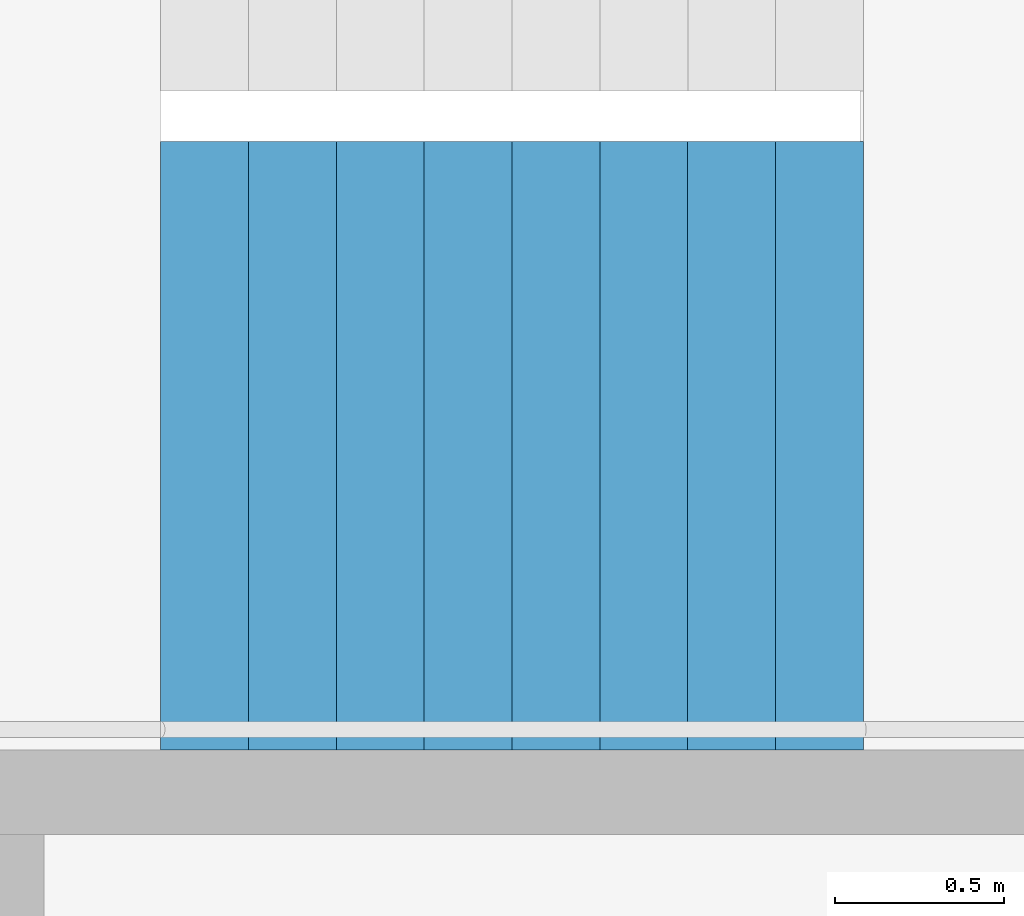
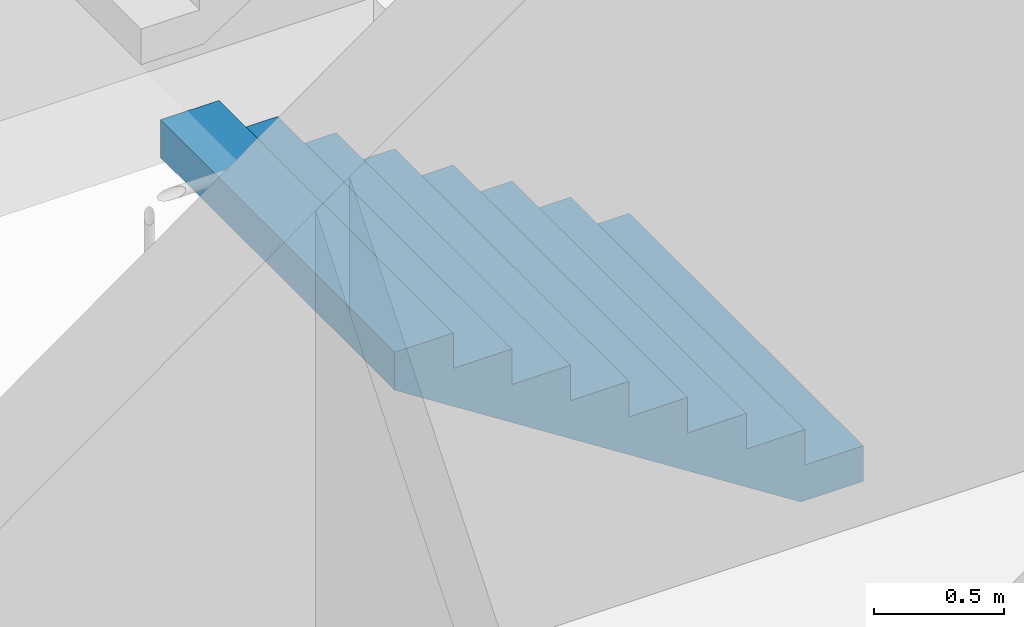
# One storey, part 30 of 35: 1 stair flight, 1 element without a shape of its own.
"""IFC4 building model written with IfcOpenShell, lengths in metres."""

from ifc_helpers import new_model, si_unit, direction, frame, origin, place, context, subcontext, project, spatial, triangles, material, type_object, element, aggregate, save


model = new_model("IFC4")

# Units and contexts
model_context = context("Model", 3, precision=1e-05, world=origin(), true_north=direction((0.0, 1.0)))
body_context = subcontext(model_context, "Body", "Model", "MODEL_VIEW")
ifc_project = project(units=[si_unit("LENGTHUNIT", "METRE"), si_unit("AREAUNIT", "SQUARE_METRE"), si_unit("VOLUMEUNIT", "CUBIC_METRE"), si_unit("PLANEANGLEUNIT", "RADIAN"), si_unit("MASSUNIT", "GRAM", prefix="KILO")], contexts=[model_context])

# Site, building, storey
site_placement = place(None, origin())
site = spatial("IfcSite", under=ifc_project, at=site_placement, CompositionType="ELEMENT")
building_placement = place(site_placement, origin())
building = spatial("IfcBuilding", under=site, at=building_placement, Name="Hakoniwa Tower and Hamabe Station Hall", CompositionType="ELEMENT")
storey_placement = place(building_placement, frame((0.0, 0.0, 270.60009765625)))
storey = spatial("IfcBuildingStorey", under=building, at=storey_placement, Name="L76", CompositionType="ELEMENT", Elevation=270.60009765625)

# Stair, stair flight
ifc_material_1 = material(Name="Concrete C40", Category="concrete")
stair_type = type_object("IfcStairType", Name="ESCAPE STAIR 1800", PredefinedType="HALF_TURN_STAIR", material=ifc_material_1)
stair_placement = place(storey_placement, origin())
stair = element("IfcStair", 1, at=stair_placement, inside=storey, type_object=stair_type, Name="Escape stair ST-3 L76", PredefinedType="HALF_TURN_STAIR")
ifc_material_2 = material(Name="Concrete C40", Category="concrete")
stair_flight_type = type_object("IfcStairFlightType", Name="STAIR FLIGHT 1800", PredefinedType="STRAIGHT", material=ifc_material_2)
stair_flight_placement = place(storey_placement, frame((24.39990234375, 4.64990234375, 0.0), z_axis=(0.0, 0.0, 1.0), x_axis=(-1.0, 0.0, 0.0)))
stair_flight = element("IfcStairFlight", 2, at=stair_flight_placement, type_object=stair_flight_type, Name="ST-3 flight 1", NumberOfRisers=9, NumberOfTreads=8, PredefinedType="STRAIGHT", RiserHeight=0.166666667, TreadLength=0.26, context=body_context, shape_type="Tessellation", body=[
    triangles([(0.0, 0.89990234375, 0.0), (0.260009765625, 0.89990234375, 0.0), (0.27783203125, 0.89990234375, 0.0), (0.52001953125, 0.89990234375, 0.1552734375), (0.780029296875, 0.89990234375, 0.322021484375), (1.0400390625, 0.89990234375, 0.488525390625), (1.300048828125, 0.89990234375, 0.6552734375), (1.56005859375, 0.89990234375, 0.822021484375), (1.820068359375, 0.89990234375, 0.988525390625), (2.080078125, 0.89990234375, 1.1552734375), (2.080078125, 0.89990234375, 1.333251953125), (1.820068359375, 0.89990234375, 1.333251953125), (1.820068359375, 0.89990234375, 1.166748046875), (1.56005859375, 0.89990234375, 1.166748046875), (1.56005859375, 0.89990234375, 1.0), (1.300048828125, 0.89990234375, 1.0), (1.300048828125, 0.89990234375, 0.833251953125), (1.0400390625, 0.89990234375, 0.833251953125), (1.0400390625, 0.89990234375, 0.666748046875), (0.780029296875, 0.89990234375, 0.666748046875), (0.780029296875, 0.89990234375, 0.5), (0.52001953125, 0.89990234375, 0.5), (0.52001953125, 0.89990234375, 0.333251953125), (0.27783203125, 0.89990234375, 0.333251953125), (0.260009765625, 0.89990234375, 0.333251953125), (0.260009765625, 0.89990234375, 0.166748046875), (0.0, 0.89990234375, 0.166748046875), (0.0, 0.06005859375, 0.0), (0.260009765625, 0.06005859375, 0.0), (0.27783203125, 0.06005859375, 0.0), (0.52001953125, 0.06005859375, 0.1552734375), (0.780029296875, 0.06005859375, 0.322021484375), (1.0400390625, 0.06005859375, 0.488525390625), (1.300048828125, 0.06005859375, 0.6552734375), (1.56005859375, 0.06005859375, 0.822021484375), (1.820068359375, 0.06005859375, 0.988525390625), (2.080078125, 0.06005859375, 1.1552734375), (2.080078125, 0.06005859375, 1.333251953125), (1.820068359375, 0.06005859375, 1.333251953125), (1.820068359375, 0.06005859375, 1.166748046875), (1.56005859375, 0.06005859375, 1.166748046875), (1.56005859375, 0.06005859375, 1.0), (1.300048828125, 0.06005859375, 1.0), (1.300048828125, 0.06005859375, 0.833251953125), (1.0400390625, 0.06005859375, 0.833251953125), (1.0400390625, 0.06005859375, 0.666748046875), (0.780029296875, 0.06005859375, 0.666748046875), (0.780029296875, 0.06005859375, 0.5), (0.52001953125, 0.06005859375, 0.5), (0.52001953125, 0.06005859375, 0.333251953125), (0.27783203125, 0.06005859375, 0.333251953125), (0.260009765625, 0.06005859375, 0.333251953125), (0.260009765625, 0.06005859375, 0.166748046875), (0.0, 0.06005859375, 0.166748046875), (0.0, 0.04296875, 0.0), (0.260009765625, 0.04296875, 0.0), (0.27783203125, 0.04296875, 0.0), (0.52001953125, 0.04296875, 0.1552734375), (0.780029296875, 0.04296875, 0.322021484375), (1.0400390625, 0.04296875, 0.488525390625), (1.300048828125, 0.04296875, 0.6552734375), (1.56005859375, 0.04296875, 0.822021484375), (1.820068359375, 0.04296875, 0.988525390625), (2.080078125, 0.04296875, 1.1552734375), (2.080078125, 0.04296875, 1.333251953125), (1.820068359375, 0.04296875, 1.333251953125), (1.820068359375, 0.04296875, 1.166748046875), (1.56005859375, 0.04296875, 1.166748046875), (1.56005859375, 0.04296875, 1.0), (1.300048828125, 0.04296875, 1.0), (1.300048828125, 0.04296875, 0.833251953125), (1.0400390625, 0.04296875, 0.833251953125), (1.0400390625, 0.04296875, 0.666748046875), (0.780029296875, 0.04296875, 0.666748046875), (0.780029296875, 0.04296875, 0.5), (0.52001953125, 0.04296875, 0.5), (0.52001953125, 0.04296875, 0.333251953125), (0.27783203125, 0.04296875, 0.333251953125), (0.260009765625, 0.04296875, 0.333251953125), (0.260009765625, 0.04296875, 0.166748046875), (0.0, 0.04296875, 0.166748046875), (0.0, 0.025634765625, 0.0), (0.260009765625, 0.025634765625, 0.0), (0.27783203125, 0.025634765625, 0.0), (0.52001953125, 0.025634765625, 0.1552734375), (0.780029296875, 0.025634765625, 0.322021484375), (1.0400390625, 0.025634765625, 0.488525390625), (1.300048828125, 0.025634765625, 0.6552734375), (1.56005859375, 0.025634765625, 0.822021484375), (1.820068359375, 0.025634765625, 0.988525390625), (2.080078125, 0.025634765625, 1.1552734375), (2.080078125, 0.025634765625, 1.333251953125), (1.820068359375, 0.025634765625, 1.333251953125), (1.820068359375, 0.025634765625, 1.166748046875), (1.56005859375, 0.025634765625, 1.166748046875), (1.56005859375, 0.025634765625, 1.0), (1.300048828125, 0.025634765625, 1.0), (1.300048828125, 0.025634765625, 0.833251953125), (1.0400390625, 0.025634765625, 0.833251953125), (1.0400390625, 0.025634765625, 0.666748046875), (0.780029296875, 0.025634765625, 0.666748046875), (0.780029296875, 0.025634765625, 0.5), (0.52001953125, 0.025634765625, 0.5), (0.52001953125, 0.025634765625, 0.333251953125), (0.27783203125, 0.025634765625, 0.333251953125), (0.260009765625, 0.025634765625, 0.333251953125), (0.260009765625, 0.025634765625, 0.166748046875), (0.0, 0.025634765625, 0.166748046875), (0.0, 0.008544921875, 0.0), (0.260009765625, 0.008544921875, 0.0), (0.27783203125, 0.008544921875, 0.0), (0.52001953125, 0.008544921875, 0.1552734375), (0.780029296875, 0.008544921875, 0.322021484375), (1.0400390625, 0.008544921875, 0.488525390625), (1.300048828125, 0.008544921875, 0.6552734375), (1.56005859375, 0.008544921875, 0.822021484375), (1.820068359375, 0.008544921875, 0.988525390625), (2.080078125, 0.008544921875, 1.1552734375), (2.080078125, 0.008544921875, 1.333251953125), (1.820068359375, 0.008544921875, 1.333251953125), (1.820068359375, 0.008544921875, 1.166748046875), (1.56005859375, 0.008544921875, 1.166748046875), (1.56005859375, 0.008544921875, 1.0), (1.300048828125, 0.008544921875, 1.0), (1.300048828125, 0.008544921875, 0.833251953125), (1.0400390625, 0.008544921875, 0.833251953125), (1.0400390625, 0.008544921875, 0.666748046875), (0.780029296875, 0.008544921875, 0.666748046875), (0.780029296875, 0.008544921875, 0.5), (0.52001953125, 0.008544921875, 0.5), (0.52001953125, 0.008544921875, 0.333251953125), (0.27783203125, 0.008544921875, 0.333251953125), (0.260009765625, 0.008544921875, 0.333251953125), (0.260009765625, 0.008544921875, 0.166748046875), (0.0, 0.008544921875, 0.166748046875), (0.0, -0.008544921875, 0.0), (0.260009765625, -0.008544921875, 0.0), (0.27783203125, -0.008544921875, 0.0), (0.52001953125, -0.008544921875, 0.1552734375), (0.780029296875, -0.008544921875, 0.322021484375), (1.0400390625, -0.008544921875, 0.488525390625), (1.300048828125, -0.008544921875, 0.6552734375), (1.56005859375, -0.008544921875, 0.822021484375), (1.820068359375, -0.008544921875, 0.988525390625), (2.080078125, -0.008544921875, 1.1552734375), (2.080078125, -0.008544921875, 1.333251953125), (1.820068359375, -0.008544921875, 1.333251953125), (1.820068359375, -0.008544921875, 1.166748046875), (1.56005859375, -0.008544921875, 1.166748046875), (1.56005859375, -0.008544921875, 1.0), (1.300048828125, -0.008544921875, 1.0), (1.300048828125, -0.008544921875, 0.833251953125), (1.0400390625, -0.008544921875, 0.833251953125), (1.0400390625, -0.008544921875, 0.666748046875), (0.780029296875, -0.008544921875, 0.666748046875), (0.780029296875, -0.008544921875, 0.5), (0.52001953125, -0.008544921875, 0.5), (0.52001953125, -0.008544921875, 0.333251953125), (0.27783203125, -0.008544921875, 0.333251953125), (0.260009765625, -0.008544921875, 0.333251953125), (0.260009765625, -0.008544921875, 0.166748046875), (0.0, -0.008544921875, 0.166748046875), (0.0, -0.025634765625, 0.0), (0.260009765625, -0.025634765625, 0.0), (0.27783203125, -0.025634765625, 0.0), (0.52001953125, -0.025634765625, 0.1552734375), (0.780029296875, -0.025634765625, 0.322021484375), (1.0400390625, -0.025634765625, 0.488525390625), (1.300048828125, -0.025634765625, 0.6552734375), (1.56005859375, -0.025634765625, 0.822021484375), (1.820068359375, -0.025634765625, 0.988525390625), (2.080078125, -0.025634765625, 1.1552734375), (2.080078125, -0.025634765625, 1.333251953125), (1.820068359375, -0.025634765625, 1.333251953125), (1.820068359375, -0.025634765625, 1.166748046875), (1.56005859375, -0.025634765625, 1.166748046875), (1.56005859375, -0.025634765625, 1.0), (1.300048828125, -0.025634765625, 1.0), (1.300048828125, -0.025634765625, 0.833251953125), (1.0400390625, -0.025634765625, 0.833251953125), (1.0400390625, -0.025634765625, 0.666748046875), (0.780029296875, -0.025634765625, 0.666748046875), (0.780029296875, -0.025634765625, 0.5), (0.52001953125, -0.025634765625, 0.5), (0.52001953125, -0.025634765625, 0.333251953125), (0.27783203125, -0.025634765625, 0.333251953125), (0.260009765625, -0.025634765625, 0.333251953125), (0.260009765625, -0.025634765625, 0.166748046875), (0.0, -0.025634765625, 0.166748046875), (0.0, -0.04296875, 0.0), (0.260009765625, -0.04296875, 0.0), (0.27783203125, -0.04296875, 0.0), (0.52001953125, -0.04296875, 0.1552734375), (0.780029296875, -0.04296875, 0.322021484375), (1.0400390625, -0.04296875, 0.488525390625), (1.300048828125, -0.04296875, 0.6552734375), (1.56005859375, -0.04296875, 0.822021484375), (1.820068359375, -0.04296875, 0.988525390625), (2.080078125, -0.04296875, 1.1552734375), (2.080078125, -0.04296875, 1.333251953125), (1.820068359375, -0.04296875, 1.333251953125), (1.820068359375, -0.04296875, 1.166748046875), (1.56005859375, -0.04296875, 1.166748046875), (1.56005859375, -0.04296875, 1.0), (1.300048828125, -0.04296875, 1.0), (1.300048828125, -0.04296875, 0.833251953125), (1.0400390625, -0.04296875, 0.833251953125), (1.0400390625, -0.04296875, 0.666748046875), (0.780029296875, -0.04296875, 0.666748046875), (0.780029296875, -0.04296875, 0.5), (0.52001953125, -0.04296875, 0.5), (0.52001953125, -0.04296875, 0.333251953125), (0.27783203125, -0.04296875, 0.333251953125), (0.260009765625, -0.04296875, 0.333251953125), (0.260009765625, -0.04296875, 0.166748046875), (0.0, -0.04296875, 0.166748046875), (0.0, -0.06005859375, 0.0), (0.260009765625, -0.06005859375, 0.0), (0.27783203125, -0.06005859375, 0.0), (0.52001953125, -0.06005859375, 0.1552734375), (0.780029296875, -0.06005859375, 0.322021484375), (1.0400390625, -0.06005859375, 0.488525390625), (1.300048828125, -0.06005859375, 0.6552734375), (1.56005859375, -0.06005859375, 0.822021484375), (1.820068359375, -0.06005859375, 0.988525390625), (2.080078125, -0.06005859375, 1.1552734375), (2.080078125, -0.06005859375, 1.333251953125), (1.820068359375, -0.06005859375, 1.333251953125), (1.820068359375, -0.06005859375, 1.166748046875), (1.56005859375, -0.06005859375, 1.166748046875), (1.56005859375, -0.06005859375, 1.0), (1.300048828125, -0.06005859375, 1.0), (1.300048828125, -0.06005859375, 0.833251953125), (1.0400390625, -0.06005859375, 0.833251953125), (1.0400390625, -0.06005859375, 0.666748046875), (0.780029296875, -0.06005859375, 0.666748046875), (0.780029296875, -0.06005859375, 0.5), (0.52001953125, -0.06005859375, 0.5), (0.52001953125, -0.06005859375, 0.333251953125), (0.27783203125, -0.06005859375, 0.333251953125), (0.260009765625, -0.06005859375, 0.333251953125), (0.260009765625, -0.06005859375, 0.166748046875), (0.0, -0.06005859375, 0.166748046875), (0.0, -0.89990234375, 0.0), (0.260009765625, -0.89990234375, 0.0), (0.27783203125, -0.89990234375, 0.0), (0.52001953125, -0.89990234375, 0.1552734375), (0.780029296875, -0.89990234375, 0.322021484375), (1.0400390625, -0.89990234375, 0.488525390625), (1.300048828125, -0.89990234375, 0.6552734375), (1.56005859375, -0.89990234375, 0.822021484375), (1.820068359375, -0.89990234375, 0.988525390625), (2.080078125, -0.89990234375, 1.1552734375), (2.080078125, -0.89990234375, 1.333251953125), (1.820068359375, -0.89990234375, 1.333251953125), (1.820068359375, -0.89990234375, 1.166748046875), (1.56005859375, -0.89990234375, 1.166748046875), (1.56005859375, -0.89990234375, 1.0), (1.300048828125, -0.89990234375, 1.0), (1.300048828125, -0.89990234375, 0.833251953125), (1.0400390625, -0.89990234375, 0.833251953125), (1.0400390625, -0.89990234375, 0.666748046875), (0.780029296875, -0.89990234375, 0.666748046875), (0.780029296875, -0.89990234375, 0.5), (0.52001953125, -0.89990234375, 0.5), (0.52001953125, -0.89990234375, 0.333251953125), (0.27783203125, -0.89990234375, 0.333251953125), (0.260009765625, -0.89990234375, 0.333251953125), (0.260009765625, -0.89990234375, 0.166748046875), (0.0, -0.89990234375, 0.166748046875)], [[2, 27, 26], [245, 269, 270], [2, 1, 27], [245, 270, 244], [3, 25, 24], [246, 267, 268], [3, 26, 25], [246, 268, 269], [3, 2, 26], [246, 269, 245], [4, 24, 23], [247, 266, 267], [4, 3, 24], [247, 267, 246], [5, 22, 21], [248, 264, 265], [5, 23, 22], [248, 265, 266], [5, 4, 23], [248, 266, 247], [6, 20, 19], [249, 262, 263], [6, 21, 20], [249, 263, 264], [6, 5, 21], [249, 264, 248], [7, 18, 17], [250, 260, 261], [7, 19, 18], [250, 261, 262], [7, 6, 19], [250, 262, 249], [8, 16, 15], [251, 258, 259], [8, 17, 16], [251, 259, 260], [8, 7, 17], [251, 260, 250], [9, 14, 13], [252, 256, 257], [9, 15, 14], [252, 257, 258], [9, 8, 15], [252, 258, 251], [10, 12, 11], [253, 254, 255], [10, 13, 12], [253, 255, 256], [10, 9, 13], [253, 256, 252], [1, 2, 29], [1, 29, 28], [28, 29, 56], [28, 56, 55], [55, 56, 83], [55, 83, 82], [82, 83, 110], [82, 110, 109], [109, 110, 137], [109, 137, 136], [136, 137, 164], [136, 164, 163], [163, 164, 191], [163, 191, 190], [190, 191, 218], [190, 218, 217], [217, 218, 245], [217, 245, 244], [2, 3, 30], [2, 30, 29], [29, 30, 57], [29, 57, 56], [56, 57, 84], [56, 84, 83], [83, 84, 111], [83, 111, 110], [110, 111, 138], [110, 138, 137], [137, 138, 165], [137, 165, 164], [164, 165, 192], [164, 192, 191], [191, 192, 219], [191, 219, 218], [218, 219, 246], [218, 246, 245], [3, 4, 31], [3, 31, 30], [30, 31, 58], [30, 58, 57], [57, 58, 85], [57, 85, 84], [84, 85, 112], [84, 112, 111], [111, 112, 139], [111, 139, 138], [138, 139, 166], [138, 166, 165], [165, 166, 193], [165, 193, 192], [192, 193, 220], [192, 220, 219], [219, 220, 247], [219, 247, 246], [4, 5, 32], [4, 32, 31], [31, 32, 59], [31, 59, 58], [58, 59, 86], [58, 86, 85], [85, 86, 113], [85, 113, 112], [112, 113, 140], [112, 140, 139], [139, 140, 167], [139, 167, 166], [166, 167, 194], [166, 194, 193], [193, 194, 221], [193, 221, 220], [220, 221, 248], [220, 248, 247], [5, 6, 33], [5, 33, 32], [32, 33, 60], [32, 60, 59], [59, 60, 87], [59, 87, 86], [86, 87, 114], [86, 114, 113], [113, 114, 141], [113, 141, 140], [140, 141, 168], [140, 168, 167], [167, 168, 195], [167, 195, 194], [194, 195, 222], [194, 222, 221], [221, 222, 249], [221, 249, 248], [6, 7, 34], [6, 34, 33], [33, 34, 61], [33, 61, 60], [60, 61, 88], [60, 88, 87], [87, 88, 115], [87, 115, 114], [114, 115, 142], [114, 142, 141], [141, 142, 169], [141, 169, 168], [168, 169, 196], [168, 196, 195], [195, 196, 223], [195, 223, 222], [222, 223, 250], [222, 250, 249], [7, 8, 35], [7, 35, 34], [34, 35, 62], [34, 62, 61], [61, 62, 89], [61, 89, 88], [88, 89, 116], [88, 116, 115], [115, 116, 143], [115, 143, 142], [142, 143, 170], [142, 170, 169], [169, 170, 197], [169, 197, 196], [196, 197, 224], [196, 224, 223], [223, 224, 251], [223, 251, 250], [8, 9, 36], [8, 36, 35], [35, 36, 63], [35, 63, 62], [62, 63, 90], [62, 90, 89], [89, 90, 117], [89, 117, 116], [116, 117, 144], [116, 144, 143], [143, 144, 171], [143, 171, 170], [170, 171, 198], [170, 198, 197], [197, 198, 225], [197, 225, 224], [224, 225, 252], [224, 252, 251], [9, 10, 37], [9, 37, 36], [36, 37, 64], [36, 64, 63], [63, 64, 91], [63, 91, 90], [90, 91, 118], [90, 118, 117], [117, 118, 145], [117, 145, 144], [144, 145, 172], [144, 172, 171], [171, 172, 199], [171, 199, 198], [198, 199, 226], [198, 226, 225], [225, 226, 253], [225, 253, 252], [10, 11, 38], [10, 38, 37], [37, 38, 65], [37, 65, 64], [64, 65, 92], [64, 92, 91], [91, 92, 119], [91, 119, 118], [118, 119, 146], [118, 146, 145], [145, 146, 173], [145, 173, 172], [172, 173, 200], [172, 200, 199], [199, 200, 227], [199, 227, 226], [226, 227, 254], [226, 254, 253], [11, 12, 39], [11, 39, 38], [38, 39, 66], [38, 66, 65], [65, 66, 93], [65, 93, 92], [92, 93, 120], [92, 120, 119], [119, 120, 147], [119, 147, 146], [146, 147, 174], [146, 174, 173], [173, 174, 201], [173, 201, 200], [200, 201, 228], [200, 228, 227], [227, 228, 255], [227, 255, 254], [12, 13, 40], [12, 40, 39], [39, 40, 67], [39, 67, 66], [66, 67, 94], [66, 94, 93], [93, 94, 121], [93, 121, 120], [120, 121, 148], [120, 148, 147], [147, 148, 175], [147, 175, 174], [174, 175, 202], [174, 202, 201], [201, 202, 229], [201, 229, 228], [228, 229, 256], [228, 256, 255], [13, 14, 41], [13, 41, 40], [40, 41, 68], [40, 68, 67], [67, 68, 95], [67, 95, 94], [94, 95, 122], [94, 122, 121], [121, 122, 149], [121, 149, 148], [148, 149, 176], [148, 176, 175], [175, 176, 203], [175, 203, 202], [202, 203, 230], [202, 230, 229], [229, 230, 257], [229, 257, 256], [14, 15, 42], [14, 42, 41], [41, 42, 69], [41, 69, 68], [68, 69, 96], [68, 96, 95], [95, 96, 123], [95, 123, 122], [122, 123, 150], [122, 150, 149], [149, 150, 177], [149, 177, 176], [176, 177, 204], [176, 204, 203], [203, 204, 231], [203, 231, 230], [230, 231, 258], [230, 258, 257], [15, 16, 43], [15, 43, 42], [42, 43, 70], [42, 70, 69], [69, 70, 97], [69, 97, 96], [96, 97, 124], [96, 124, 123], [123, 124, 151], [123, 151, 150], [150, 151, 178], [150, 178, 177], [177, 178, 205], [177, 205, 204], [204, 205, 232], [204, 232, 231], [231, 232, 259], [231, 259, 258], [16, 17, 44], [16, 44, 43], [43, 44, 71], [43, 71, 70], [70, 71, 98], [70, 98, 97], [97, 98, 125], [97, 125, 124], [124, 125, 152], [124, 152, 151], [151, 152, 179], [151, 179, 178], [178, 179, 206], [178, 206, 205], [205, 206, 233], [205, 233, 232], [232, 233, 260], [232, 260, 259], [17, 18, 45], [17, 45, 44], [44, 45, 72], [44, 72, 71], [71, 72, 99], [71, 99, 98], [98, 99, 126], [98, 126, 125], [125, 126, 153], [125, 153, 152], [152, 153, 180], [152, 180, 179], [179, 180, 207], [179, 207, 206], [206, 207, 234], [206, 234, 233], [233, 234, 261], [233, 261, 260], [18, 19, 46], [18, 46, 45], [45, 46, 73], [45, 73, 72], [72, 73, 100], [72, 100, 99], [99, 100, 127], [99, 127, 126], [126, 127, 154], [126, 154, 153], [153, 154, 181], [153, 181, 180], [180, 181, 208], [180, 208, 207], [207, 208, 235], [207, 235, 234], [234, 235, 262], [234, 262, 261], [19, 20, 47], [19, 47, 46], [46, 47, 74], [46, 74, 73], [73, 74, 101], [73, 101, 100], [100, 101, 128], [100, 128, 127], [127, 128, 155], [127, 155, 154], [154, 155, 182], [154, 182, 181], [181, 182, 209], [181, 209, 208], [208, 209, 236], [208, 236, 235], [235, 236, 263], [235, 263, 262], [20, 21, 48], [20, 48, 47], [47, 48, 75], [47, 75, 74], [74, 75, 102], [74, 102, 101], [101, 102, 129], [101, 129, 128], [128, 129, 156], [128, 156, 155], [155, 156, 183], [155, 183, 182], [182, 183, 210], [182, 210, 209], [209, 210, 237], [209, 237, 236], [236, 237, 264], [236, 264, 263], [21, 22, 49], [21, 49, 48], [48, 49, 76], [48, 76, 75], [75, 76, 103], [75, 103, 102], [102, 103, 130], [102, 130, 129], [129, 130, 157], [129, 157, 156], [156, 157, 184], [156, 184, 183], [183, 184, 211], [183, 211, 210], [210, 211, 238], [210, 238, 237], [237, 238, 265], [237, 265, 264], [22, 23, 50], [22, 50, 49], [49, 50, 77], [49, 77, 76], [76, 77, 104], [76, 104, 103], [103, 104, 131], [103, 131, 130], [130, 131, 158], [130, 158, 157], [157, 158, 185], [157, 185, 184], [184, 185, 212], [184, 212, 211], [211, 212, 239], [211, 239, 238], [238, 239, 266], [238, 266, 265], [23, 24, 51], [23, 51, 50], [50, 51, 78], [50, 78, 77], [77, 78, 105], [77, 105, 104], [104, 105, 132], [104, 132, 131], [131, 132, 159], [131, 159, 158], [158, 159, 186], [158, 186, 185], [185, 186, 213], [185, 213, 212], [212, 213, 240], [212, 240, 239], [239, 240, 267], [239, 267, 266], [24, 25, 52], [24, 52, 51], [51, 52, 79], [51, 79, 78], [78, 79, 106], [78, 106, 105], [105, 106, 133], [105, 133, 132], [132, 133, 160], [132, 160, 159], [159, 160, 187], [159, 187, 186], [186, 187, 214], [186, 214, 213], [213, 214, 241], [213, 241, 240], [240, 241, 268], [240, 268, 267], [25, 26, 53], [25, 53, 52], [52, 53, 80], [52, 80, 79], [79, 80, 107], [79, 107, 106], [106, 107, 134], [106, 134, 133], [133, 134, 161], [133, 161, 160], [160, 161, 188], [160, 188, 187], [187, 188, 215], [187, 215, 214], [214, 215, 242], [214, 242, 241], [241, 242, 269], [241, 269, 268], [26, 27, 54], [26, 54, 53], [53, 54, 81], [53, 81, 80], [80, 81, 108], [80, 108, 107], [107, 108, 135], [107, 135, 134], [134, 135, 162], [134, 162, 161], [161, 162, 189], [161, 189, 188], [188, 189, 216], [188, 216, 215], [215, 216, 243], [215, 243, 242], [242, 243, 270], [242, 270, 269], [27, 1, 28], [27, 28, 54], [54, 28, 55], [54, 55, 81], [81, 55, 82], [81, 82, 108], [108, 82, 109], [108, 109, 135], [135, 109, 136], [135, 136, 162], [162, 136, 163], [162, 163, 189], [189, 163, 190], [189, 190, 216], [216, 190, 217], [216, 217, 243], [243, 217, 244], [243, 244, 270]], closed=True),
])
aggregate(stair, [stair_flight])

save(model, "model.ifc")
